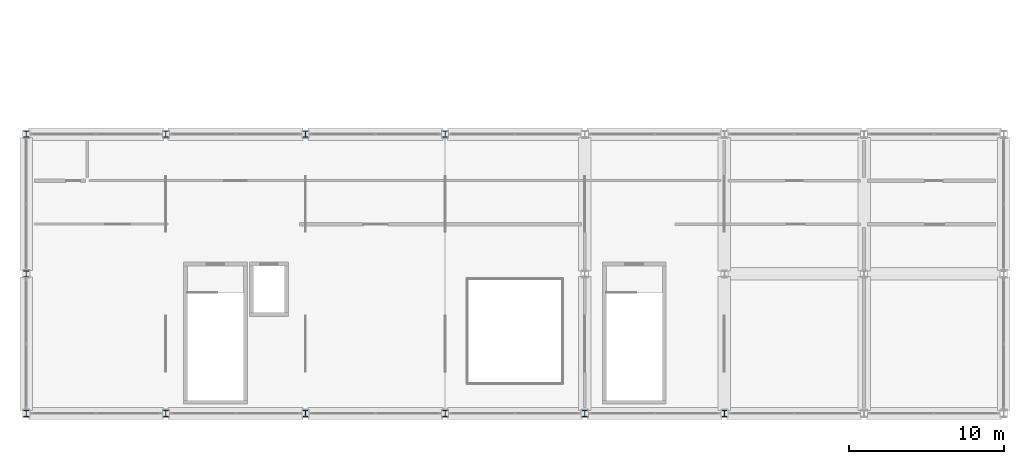
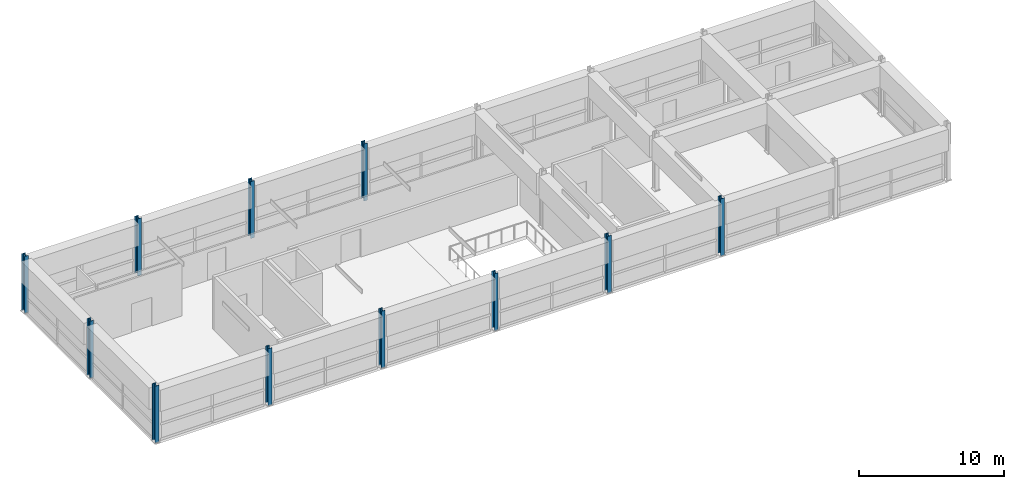
# One storey, part 1 of 56: 11 columns.
"""IFC4 building model written with IfcOpenShell, lengths in metres."""

from ifc_helpers import new_model, si_unit, direction, frame, origin, origin_2d, place, context, subcontext, project, spatial, i_section, extrude, material, material_profile, profile_set, type_object, element, save


model = new_model("IFC4")

# Units and contexts
model_context = context("Model", 3, precision=1e-05, world=origin(), true_north=direction((0.0, 1.0)))
body_context = subcontext(model_context, "Body", "Model", "MODEL_VIEW")
ifc_project = project(units=[si_unit("LENGTHUNIT", "METRE"), si_unit("AREAUNIT", "SQUARE_METRE"), si_unit("VOLUMEUNIT", "CUBIC_METRE"), si_unit("PLANEANGLEUNIT", "RADIAN"), si_unit("MASSUNIT", "GRAM", prefix="KILO")], contexts=[model_context])

# Site, building, storey
site_placement = place(None, origin())
site = spatial("IfcSite", under=ifc_project, at=site_placement, CompositionType="ELEMENT")
building_placement = place(site_placement, origin())
building = spatial("IfcBuilding", under=site, at=building_placement, Name="Bozkorgan Art Gallery", CompositionType="ELEMENT")
storey_placement = place(building_placement, frame((0.0, 0.0, 24.0)))
storey = spatial("IfcBuildingStorey", under=building, at=storey_placement, Name="L05", CompositionType="ELEMENT", Elevation=24.0)

# Columns
ifc_material = material(Name="Steel S355J2", Category="steel")
ifc_material_profile = material_profile(ifc_material, i_section(OverallWidth=0.300048828125, OverallDepth=0.39990234375, WebThickness=0.013427734375, FlangeThickness=0.02392578125, FilletRadius=0.027099609375, at=origin_2d()), Name="HEB 400")
ifc_profile_set = profile_set([ifc_material_profile], Name="Steel S355J2")
column_type = type_object("IfcColumnType", Name="COLUMN-C-71", PredefinedType="COLUMN", material=ifc_profile_set)
for number, where, z_axis, x_axis, name in (
    (1, (2.0, 2.0, 0.0), (0.0, 0.0, 1.0), (1.0, 0.0, 0.0), "V1 L05 column (2.0, 2.0)"),
    (2, (2.0, 11.0, 0.0), (0.0, 0.0, 1.0), (1.0, 0.0, 0.0), "V1 L05 column (2.0, 11.0)"),
    (3, (2.0, 20.0, 0.0), (0.0, 0.0, 1.0), (1.0, 0.0, 0.0), "V1 L05 column (2.0, 20.0)"),
    (4, (11.0, 2.0, 0.0), (0.0, 0.0, 1.0), (1.0, 0.0, 0.0), "V1 L05 column (11.0, 2.0)"),
    (5, (11.0, 20.0, 0.0), (0.0, 0.0, 1.0), (1.0, 0.0, 0.0), "V1 L05 column (11.0, 20.0)"),
    (6, (20.0, 2.0, 0.0), (0.0, 0.0, 1.0), (1.0, 0.0, 0.0), "V1 L05 column (20.0, 2.0)"),
    (7, (20.0, 20.0, 0.0), (0.0, 0.0, 1.0), (1.0, 0.0, 0.0), "V1 L05 column (20.0, 20.0)"),
    (8, (29.0, 2.0, 0.0), (0.0, 0.0, 1.0), (1.0, 0.0, 0.0), "V1 L05 column (29.0, 2.0)"),
    (9, (29.0, 20.0, 0.0), (0.0, 0.0, 1.0), (1.0, 0.0, 0.0), "V1 L05 column (29.0, 20.0)"),
    (10, (38.0, 2.0, 0.0), (0.0, 0.0, 1.0), (1.0, 0.0, 0.0), "V1 L05 column (38.0, 2.0)"),
    (11, (47.0, 2.0, 0.0), (0.0, 0.0, 1.0), (1.0, 0.0, 0.0), "V1 L05 column (47.0, 2.0)"),
):
    element("IfcColumn", number, at=place(storey_placement, frame(where, z_axis=z_axis, x_axis=x_axis)), inside=storey, type_object=column_type, Name=name, PredefinedType="COLUMN", context=body_context, shape_type="SweptSolid", body=[
        extrude(i_section(OverallWidth=0.300048828125, OverallDepth=0.39990234375, WebThickness=0.013427734375, FlangeThickness=0.02392578125, FilletRadius=0.027099609375, at=origin_2d()), origin(), (0.0, 0.0, 1.0), 4.800048828125),
    ])

save(model, "model.ifc")
